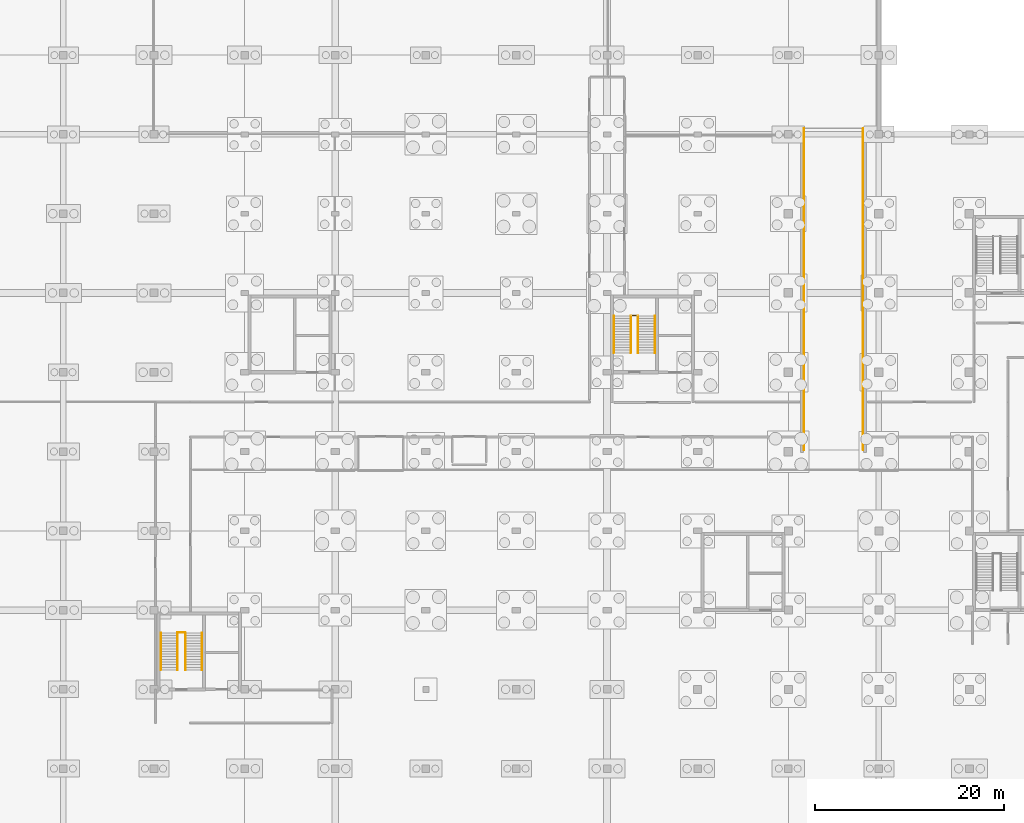
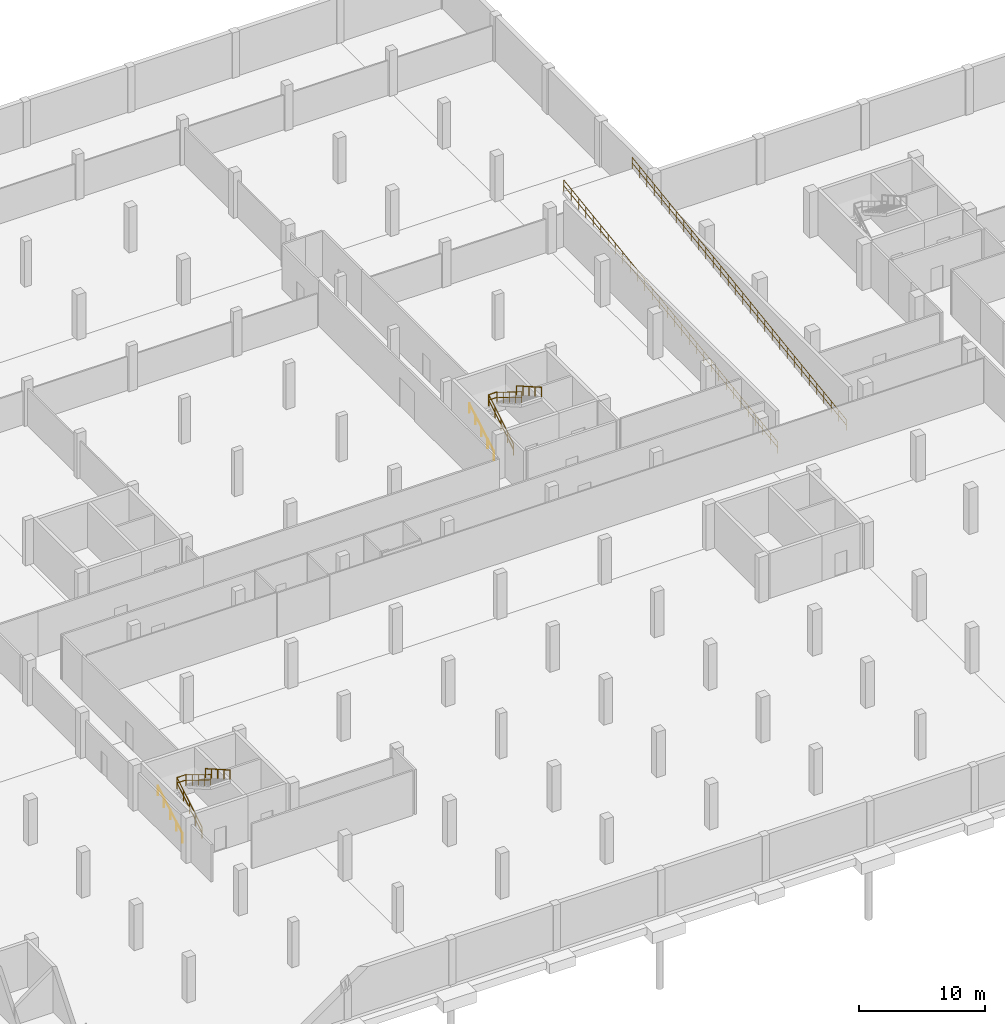
# One storey, part 25 of 26: 12 railings.
"""IFC4 building model written with IfcOpenShell, lengths in metres."""

from ifc_helpers import new_model, si_unit, direction, frame, origin, origin_2d, place, context, subcontext, project, spatial, circle, extrude, material, layer, layer_set, type_object, element, save


model = new_model("IFC4")

# Units and contexts
model_context = context("Model", 3, precision=1e-05, world=origin(), true_north=direction((0.0, 1.0)))
body_context = subcontext(model_context, "Body", "Model", "MODEL_VIEW")
ifc_project = project(units=[si_unit("LENGTHUNIT", "METRE"), si_unit("AREAUNIT", "SQUARE_METRE"), si_unit("VOLUMEUNIT", "CUBIC_METRE"), si_unit("PLANEANGLEUNIT", "RADIAN"), si_unit("MASSUNIT", "GRAM", prefix="KILO")], contexts=[model_context])

# Site, building, storey
site_placement = place(None, origin())
site = spatial("IfcSite", under=ifc_project, at=site_placement, CompositionType="ELEMENT")
building_placement = place(site_placement, origin())
building = spatial("IfcBuilding", under=site, at=building_placement, Name="Lornevale Opera House", CompositionType="ELEMENT")
storey_placement = place(building_placement, frame((0.0, 0.0, -9.60009765625)))
storey = spatial("IfcBuildingStorey", under=building, at=storey_placement, Name="B2", CompositionType="ELEMENT", Elevation=-9.60009765625)

# Railings
ifc_material = material(Name="Structural Steel CSA G40.21 Grade 350W (350 MPa)", Category="steel")
ifc_layer_1 = layer(ifc_material, 0.050048828125)
ifc_layer_set_1 = layer_set([ifc_layer_1], Name="Structural Steel CSA G40.21 Grade 350W (350 MPa)")
railing_type_1 = type_object("IfcRailingType", Name="Stair Well Guardrail 1100", PredefinedType="GUARDRAIL", material=ifc_layer_set_1)
railing_1_placement = place(storey_placement, frame((50.47998046875, 27.260009765625, 0.0)))
element("IfcRailing", 1, at=railing_1_placement, inside=storey, type_object=railing_type_1, Name="ST-01 Inner Well Guard F1", PredefinedType="GUARDRAIL", context=body_context, shape_type="SweptSolid", body=[
    extrude(circle(Radius=0.02392578125, at=origin_2d()), frame((0.0, 0.0, 1.076171875), z_axis=(0.0, 0.852832477147, 0.522184609045), x_axis=(-1.0, 0.0, 0.0)), (0.0, 0.0, 1.0), 4.596435546875),
    extrude(circle(Radius=0.02392578125, at=origin_2d()), frame((0.0, 0.0, 0.550048828125), z_axis=(0.0, 0.852832477147, 0.522184609045), x_axis=(-1.0, 0.0, 0.0)), (0.0, 0.0, 1.0), 4.596435546875),
    extrude(circle(Radius=0.02099609375, at=origin_2d()), origin(), (0.0, 0.0, 1.0), 1.052001953125),
    extrude(circle(Radius=0.02099609375, at=origin_2d()), frame((0.0, 0.97998046875, 0.60009765625)), (0.0, 0.0, 1.0), 1.052001953125),
    extrude(circle(Radius=0.02099609375, at=origin_2d()), frame((0.0, 1.9599609375, 1.2001953125)), (0.0, 0.0, 1.0), 1.052001953125),
    extrude(circle(Radius=0.02099609375, at=origin_2d()), frame((0.0, 2.93994140625, 1.800048828125)), (0.0, 0.0, 1.0), 1.052001953125),
    extrude(circle(Radius=0.02099609375, at=origin_2d()), frame((0.0, 3.919921875, 2.400146484375)), (0.0, 0.0, 1.0), 1.052001953125),
])
railing_2_placement = place(storey_placement, frame((51.320068359375, 31.179931640625, 2.400146484375)))
element("IfcRailing", 2, at=railing_2_placement, inside=storey, type_object=railing_type_1, Name="ST-01 Inner Well Guard F2", PredefinedType="GUARDRAIL", context=body_context, shape_type="SweptSolid", body=[
    extrude(circle(Radius=0.02392578125, at=origin_2d()), frame((0.0, 0.0, 1.076171875), z_axis=(0.0, -0.852856131449, 0.522145974847), x_axis=(1.0, 0.0, 0.0)), (0.0, 0.0, 1.0), 4.59619140625),
    extrude(circle(Radius=0.02392578125, at=origin_2d()), frame((0.0, 0.0, 0.550048828125), z_axis=(0.0, -0.852856131449, 0.522145974847), x_axis=(1.0, 0.0, 0.0)), (0.0, 0.0, 1.0), 4.59619140625),
    extrude(circle(Radius=0.02099609375, at=origin_2d()), origin(), (0.0, 0.0, 1.0), 1.052001953125),
    extrude(circle(Radius=0.02099609375, at=origin_2d()), frame((0.0, -0.97998046875, 0.60009765625)), (0.0, 0.0, 1.0), 1.052001953125),
    extrude(circle(Radius=0.02099609375, at=origin_2d()), frame((0.0, -1.9599609375, 1.199951171875)), (0.0, 0.0, 1.0), 1.052001953125),
    extrude(circle(Radius=0.02099609375, at=origin_2d()), frame((0.0, -2.93994140625, 1.7998046875)), (0.0, 0.0, 1.0), 1.052001953125),
    extrude(circle(Radius=0.02099609375, at=origin_2d()), frame((0.0, -3.919921875, 2.39990234375)), (0.0, 0.0, 1.0), 1.052001953125),
])
railing_3_placement = place(storey_placement, frame((50.47998046875, 31.2099609375, 2.400146484375)))
element("IfcRailing", 3, at=railing_3_placement, inside=storey, type_object=railing_type_1, Name="ST-01 Half-Landing Slot Guard", PredefinedType="GUARDRAIL", context=body_context, shape_type="SweptSolid", body=[
    extrude(circle(Radius=0.02392578125, at=origin_2d()), frame((0.0, 0.0, 1.076171875), z_axis=(1.0, 0.0, 0.0), x_axis=(0.0, 1.0, 0.0)), (0.0, 0.0, 1.0), 0.840087890625),
    extrude(circle(Radius=0.02392578125, at=origin_2d()), frame((0.0, 0.0, 0.550048828125), z_axis=(1.0, 0.0, 0.0), x_axis=(0.0, 1.0, 0.0)), (0.0, 0.0, 1.0), 0.840087890625),
    extrude(circle(Radius=0.02099609375, at=origin_2d()), origin(), (0.0, 0.0, 1.0), 1.052001953125),
    extrude(circle(Radius=0.02099609375, at=origin_2d()), frame((0.840087890625, 0.0, 0.0)), (0.0, 0.0, 1.0), 1.052001953125),
])
railing_4_placement = place(storey_placement, frame((98.52001953125, 60.860107421875, 0.0)))
element("IfcRailing", 4, at=railing_4_placement, inside=storey, type_object=railing_type_1, Name="ST-20 Inner Well Guard F1", PredefinedType="GUARDRAIL", context=body_context, shape_type="SweptSolid", body=[
    extrude(circle(Radius=0.02392578125, at=origin_2d()), frame((0.0, 0.0, 1.076171875), z_axis=(0.0, 0.852832477147, 0.522184609045), x_axis=(-1.0, 0.0, 0.0)), (0.0, 0.0, 1.0), 4.596435546875),
    extrude(circle(Radius=0.02392578125, at=origin_2d()), frame((0.0, 0.0, 0.550048828125), z_axis=(0.0, 0.852832477147, 0.522184609045), x_axis=(-1.0, 0.0, 0.0)), (0.0, 0.0, 1.0), 4.596435546875),
    extrude(circle(Radius=0.02099609375, at=origin_2d()), origin(), (0.0, 0.0, 1.0), 1.052001953125),
    extrude(circle(Radius=0.02099609375, at=origin_2d()), frame((0.0, 0.97998046875, 0.60009765625)), (0.0, 0.0, 1.0), 1.052001953125),
    extrude(circle(Radius=0.02099609375, at=origin_2d()), frame((0.0, 1.9599609375, 1.2001953125)), (0.0, 0.0, 1.0), 1.052001953125),
    extrude(circle(Radius=0.02099609375, at=origin_2d()), frame((0.0, 2.93994140625, 1.800048828125)), (0.0, 0.0, 1.0), 1.052001953125),
    extrude(circle(Radius=0.02099609375, at=origin_2d()), frame((0.0, 3.919921875, 2.400146484375)), (0.0, 0.0, 1.0), 1.052001953125),
])
railing_5_placement = place(storey_placement, frame((99.280029296875, 64.780029296875, 2.400146484375)))
element("IfcRailing", 5, at=railing_5_placement, inside=storey, type_object=railing_type_1, Name="ST-20 Inner Well Guard F2", PredefinedType="GUARDRAIL", context=body_context, shape_type="SweptSolid", body=[
    extrude(circle(Radius=0.02392578125, at=origin_2d()), frame((0.0, 0.0, 1.076171875), z_axis=(0.0, -0.852856131449, 0.522145974847), x_axis=(1.0, 0.0, 0.0)), (0.0, 0.0, 1.0), 4.59619140625),
    extrude(circle(Radius=0.02392578125, at=origin_2d()), frame((0.0, 0.0, 0.550048828125), z_axis=(0.0, -0.852856131449, 0.522145974847), x_axis=(1.0, 0.0, 0.0)), (0.0, 0.0, 1.0), 4.59619140625),
    extrude(circle(Radius=0.02099609375, at=origin_2d()), origin(), (0.0, 0.0, 1.0), 1.052001953125),
    extrude(circle(Radius=0.02099609375, at=origin_2d()), frame((0.0, -0.97998046875, 0.60009765625)), (0.0, 0.0, 1.0), 1.052001953125),
    extrude(circle(Radius=0.02099609375, at=origin_2d()), frame((0.0, -1.9599609375, 1.199951171875)), (0.0, 0.0, 1.0), 1.052001953125),
    extrude(circle(Radius=0.02099609375, at=origin_2d()), frame((0.0, -2.93994140625, 1.7998046875)), (0.0, 0.0, 1.0), 1.052001953125),
    extrude(circle(Radius=0.02099609375, at=origin_2d()), frame((0.0, -3.919921875, 2.39990234375)), (0.0, 0.0, 1.0), 1.052001953125),
])
railing_6_placement = place(storey_placement, frame((98.52001953125, 64.81005859375, 2.400146484375)))
element("IfcRailing", 6, at=railing_6_placement, inside=storey, type_object=railing_type_1, Name="ST-20 Half-Landing Slot Guard", PredefinedType="GUARDRAIL", context=body_context, shape_type="SweptSolid", body=[
    extrude(circle(Radius=0.02392578125, at=origin_2d()), frame((0.0, 0.0, 1.076171875), z_axis=(1.0, 0.0, 0.0), x_axis=(0.0, 1.0, 0.0)), (0.0, 0.0, 1.0), 0.760009765625),
    extrude(circle(Radius=0.02392578125, at=origin_2d()), frame((0.0, 0.0, 0.550048828125), z_axis=(1.0, 0.0, 0.0), x_axis=(0.0, 1.0, 0.0)), (0.0, 0.0, 1.0), 0.760009765625),
    extrude(circle(Radius=0.02099609375, at=origin_2d()), origin(), (0.0, 0.0, 1.0), 1.052001953125),
    extrude(circle(Radius=0.02099609375, at=origin_2d()), frame((0.760009765625, 0.0, 0.0)), (0.0, 0.0, 1.0), 1.052001953125),
])
ifc_layer_2 = layer(ifc_material, 0.06005859375)
ifc_layer_set_2 = layer_set([ifc_layer_2], Name="Structural Steel CSA G40.21 Grade 350W (350 MPa)")
railing_type_2 = type_object("IfcRailingType", Name="Terrace Tubular Guardrail 1120", PredefinedType="GUARDRAIL", material=ifc_layer_set_2)
railing_7_placement = place(storey_placement, frame((123.139892578125, 50.580078125, 0.0)))
element("IfcRailing", 7, at=railing_7_placement, inside=storey, type_object=railing_type_2, Name="RP-01 Ramp Guardrail 0225", PredefinedType="GUARDRAIL", context=body_context, shape_type="SweptSolid", body=[
    extrude(circle(Radius=0.02392578125, at=origin_2d()), frame((0.0, 0.0, 1.09619140625), z_axis=(0.0, 0.990203684558, 0.139630451861), x_axis=(-1.0, 0.0, 0.0)), (0.0, 0.0, 1.0), 34.376708984375),
    extrude(circle(Radius=0.02392578125, at=origin_2d()), frame((0.0, 0.0, 0.56005859375), z_axis=(0.0, 0.990203684558, 0.139630451861), x_axis=(-1.0, 0.0, 0.0)), (0.0, 0.0, 1.0), 34.376708984375),
    extrude(circle(Radius=0.02099609375, at=origin_2d()), origin(), (0.0, 0.0, 1.0), 1.072021484375),
    extrude(circle(Radius=0.02099609375, at=origin_2d()), frame((0.0, 1.173828125, 0.16552734375)), (0.0, 0.0, 1.0), 1.072021484375),
    extrude(circle(Radius=0.02099609375, at=origin_2d()), frame((0.0, 2.34765625, 0.3310546875)), (0.0, 0.0, 1.0), 1.072021484375),
    extrude(circle(Radius=0.02099609375, at=origin_2d()), frame((0.0, 3.521484375, 0.49658203125)), (0.0, 0.0, 1.0), 1.072021484375),
    extrude(circle(Radius=0.02099609375, at=origin_2d()), frame((0.0, 4.695068359375, 0.662109375)), (0.0, 0.0, 1.0), 1.072021484375),
    extrude(circle(Radius=0.02099609375, at=origin_2d()), frame((0.0, 5.868896484375, 0.82763671875)), (0.0, 0.0, 1.0), 1.072021484375),
    extrude(circle(Radius=0.02099609375, at=origin_2d()), frame((0.0, 7.042724609375, 0.9931640625)), (0.0, 0.0, 1.0), 1.072021484375),
    extrude(circle(Radius=0.02099609375, at=origin_2d()), frame((0.0, 8.216552734375, 1.15869140625)), (0.0, 0.0, 1.0), 1.072021484375),
    extrude(circle(Radius=0.02099609375, at=origin_2d()), frame((0.0, 9.390380859375, 1.32421875)), (0.0, 0.0, 1.0), 1.072021484375),
    extrude(circle(Radius=0.02099609375, at=origin_2d()), frame((0.0, 10.564208984375, 1.48974609375)), (0.0, 0.0, 1.0), 1.072021484375),
    extrude(circle(Radius=0.02099609375, at=origin_2d()), frame((0.0, 11.738037109375, 1.6552734375)), (0.0, 0.0, 1.0), 1.072021484375),
    extrude(circle(Radius=0.02099609375, at=origin_2d()), frame((0.0, 12.91162109375, 1.82080078125)), (0.0, 0.0, 1.0), 1.072021484375),
    extrude(circle(Radius=0.02099609375, at=origin_2d()), frame((0.0, 14.08544921875, 1.986328125)), (0.0, 0.0, 1.0), 1.072021484375),
    extrude(circle(Radius=0.02099609375, at=origin_2d()), frame((0.0, 15.25927734375, 2.15185546875)), (0.0, 0.0, 1.0), 1.072021484375),
    extrude(circle(Radius=0.02099609375, at=origin_2d()), frame((0.0, 16.43310546875, 2.3173828125)), (0.0, 0.0, 1.0), 1.072021484375),
    extrude(circle(Radius=0.02099609375, at=origin_2d()), frame((0.0, 17.60693359375, 2.482666015625)), (0.0, 0.0, 1.0), 1.072021484375),
    extrude(circle(Radius=0.02099609375, at=origin_2d()), frame((0.0, 18.78076171875, 2.648193359375)), (0.0, 0.0, 1.0), 1.072021484375),
    extrude(circle(Radius=0.02099609375, at=origin_2d()), frame((0.0, 19.95458984375, 2.813720703125)), (0.0, 0.0, 1.0), 1.072021484375),
    extrude(circle(Radius=0.02099609375, at=origin_2d()), frame((0.0, 21.12841796875, 2.979248046875)), (0.0, 0.0, 1.0), 1.072021484375),
    extrude(circle(Radius=0.02099609375, at=origin_2d()), frame((0.0, 22.302001953125, 3.144775390625)), (0.0, 0.0, 1.0), 1.072021484375),
    extrude(circle(Radius=0.02099609375, at=origin_2d()), frame((0.0, 23.475830078125, 3.310302734375)), (0.0, 0.0, 1.0), 1.072021484375),
    extrude(circle(Radius=0.02099609375, at=origin_2d()), frame((0.0, 24.649658203125, 3.475830078125)), (0.0, 0.0, 1.0), 1.072021484375),
    extrude(circle(Radius=0.02099609375, at=origin_2d()), frame((0.0, 25.823486328125, 3.641357421875)), (0.0, 0.0, 1.0), 1.072021484375),
    extrude(circle(Radius=0.02099609375, at=origin_2d()), frame((0.0, 26.997314453125, 3.806884765625)), (0.0, 0.0, 1.0), 1.072021484375),
    extrude(circle(Radius=0.02099609375, at=origin_2d()), frame((0.0, 28.171142578125, 3.972412109375)), (0.0, 0.0, 1.0), 1.072021484375),
    extrude(circle(Radius=0.02099609375, at=origin_2d()), frame((0.0, 29.344970703125, 4.137939453125)), (0.0, 0.0, 1.0), 1.072021484375),
    extrude(circle(Radius=0.02099609375, at=origin_2d()), frame((0.0, 30.5185546875, 4.303466796875)), (0.0, 0.0, 1.0), 1.072021484375),
    extrude(circle(Radius=0.02099609375, at=origin_2d()), frame((0.0, 31.6923828125, 4.468994140625)), (0.0, 0.0, 1.0), 1.072021484375),
    extrude(circle(Radius=0.02099609375, at=origin_2d()), frame((0.0, 32.8662109375, 4.634521484375)), (0.0, 0.0, 1.0), 1.072021484375),
    extrude(circle(Radius=0.02099609375, at=origin_2d()), frame((0.0, 34.0400390625, 4.800048828125)), (0.0, 0.0, 1.0), 1.072021484375),
])
railing_8_placement = place(storey_placement, frame((116.860107421875, 50.580078125, 0.0)))
element("IfcRailing", 8, at=railing_8_placement, inside=storey, type_object=railing_type_2, Name="RP-01 Ramp Guardrail 0226", PredefinedType="GUARDRAIL", context=body_context, shape_type="SweptSolid", body=[
    extrude(circle(Radius=0.02392578125, at=origin_2d()), frame((0.0, 0.0, 1.09619140625), z_axis=(0.0, 0.990203684558, 0.139630451861), x_axis=(-1.0, 0.0, 0.0)), (0.0, 0.0, 1.0), 34.376708984375),
    extrude(circle(Radius=0.02392578125, at=origin_2d()), frame((0.0, 0.0, 0.56005859375), z_axis=(0.0, 0.990203684558, 0.139630451861), x_axis=(-1.0, 0.0, 0.0)), (0.0, 0.0, 1.0), 34.376708984375),
    extrude(circle(Radius=0.02099609375, at=origin_2d()), origin(), (0.0, 0.0, 1.0), 1.072021484375),
    extrude(circle(Radius=0.02099609375, at=origin_2d()), frame((0.0, 1.173828125, 0.16552734375)), (0.0, 0.0, 1.0), 1.072021484375),
    extrude(circle(Radius=0.02099609375, at=origin_2d()), frame((0.0, 2.34765625, 0.3310546875)), (0.0, 0.0, 1.0), 1.072021484375),
    extrude(circle(Radius=0.02099609375, at=origin_2d()), frame((0.0, 3.521484375, 0.49658203125)), (0.0, 0.0, 1.0), 1.072021484375),
    extrude(circle(Radius=0.02099609375, at=origin_2d()), frame((0.0, 4.695068359375, 0.662109375)), (0.0, 0.0, 1.0), 1.072021484375),
    extrude(circle(Radius=0.02099609375, at=origin_2d()), frame((0.0, 5.868896484375, 0.82763671875)), (0.0, 0.0, 1.0), 1.072021484375),
    extrude(circle(Radius=0.02099609375, at=origin_2d()), frame((0.0, 7.042724609375, 0.9931640625)), (0.0, 0.0, 1.0), 1.072021484375),
    extrude(circle(Radius=0.02099609375, at=origin_2d()), frame((0.0, 8.216552734375, 1.15869140625)), (0.0, 0.0, 1.0), 1.072021484375),
    extrude(circle(Radius=0.02099609375, at=origin_2d()), frame((0.0, 9.390380859375, 1.32421875)), (0.0, 0.0, 1.0), 1.072021484375),
    extrude(circle(Radius=0.02099609375, at=origin_2d()), frame((0.0, 10.564208984375, 1.48974609375)), (0.0, 0.0, 1.0), 1.072021484375),
    extrude(circle(Radius=0.02099609375, at=origin_2d()), frame((0.0, 11.738037109375, 1.6552734375)), (0.0, 0.0, 1.0), 1.072021484375),
    extrude(circle(Radius=0.02099609375, at=origin_2d()), frame((0.0, 12.91162109375, 1.82080078125)), (0.0, 0.0, 1.0), 1.072021484375),
    extrude(circle(Radius=0.02099609375, at=origin_2d()), frame((0.0, 14.08544921875, 1.986328125)), (0.0, 0.0, 1.0), 1.072021484375),
    extrude(circle(Radius=0.02099609375, at=origin_2d()), frame((0.0, 15.25927734375, 2.15185546875)), (0.0, 0.0, 1.0), 1.072021484375),
    extrude(circle(Radius=0.02099609375, at=origin_2d()), frame((0.0, 16.43310546875, 2.3173828125)), (0.0, 0.0, 1.0), 1.072021484375),
    extrude(circle(Radius=0.02099609375, at=origin_2d()), frame((0.0, 17.60693359375, 2.482666015625)), (0.0, 0.0, 1.0), 1.072021484375),
    extrude(circle(Radius=0.02099609375, at=origin_2d()), frame((0.0, 18.78076171875, 2.648193359375)), (0.0, 0.0, 1.0), 1.072021484375),
    extrude(circle(Radius=0.02099609375, at=origin_2d()), frame((0.0, 19.95458984375, 2.813720703125)), (0.0, 0.0, 1.0), 1.072021484375),
    extrude(circle(Radius=0.02099609375, at=origin_2d()), frame((0.0, 21.12841796875, 2.979248046875)), (0.0, 0.0, 1.0), 1.072021484375),
    extrude(circle(Radius=0.02099609375, at=origin_2d()), frame((0.0, 22.302001953125, 3.144775390625)), (0.0, 0.0, 1.0), 1.072021484375),
    extrude(circle(Radius=0.02099609375, at=origin_2d()), frame((0.0, 23.475830078125, 3.310302734375)), (0.0, 0.0, 1.0), 1.072021484375),
    extrude(circle(Radius=0.02099609375, at=origin_2d()), frame((0.0, 24.649658203125, 3.475830078125)), (0.0, 0.0, 1.0), 1.072021484375),
    extrude(circle(Radius=0.02099609375, at=origin_2d()), frame((0.0, 25.823486328125, 3.641357421875)), (0.0, 0.0, 1.0), 1.072021484375),
    extrude(circle(Radius=0.02099609375, at=origin_2d()), frame((0.0, 26.997314453125, 3.806884765625)), (0.0, 0.0, 1.0), 1.072021484375),
    extrude(circle(Radius=0.02099609375, at=origin_2d()), frame((0.0, 28.171142578125, 3.972412109375)), (0.0, 0.0, 1.0), 1.072021484375),
    extrude(circle(Radius=0.02099609375, at=origin_2d()), frame((0.0, 29.344970703125, 4.137939453125)), (0.0, 0.0, 1.0), 1.072021484375),
    extrude(circle(Radius=0.02099609375, at=origin_2d()), frame((0.0, 30.5185546875, 4.303466796875)), (0.0, 0.0, 1.0), 1.072021484375),
    extrude(circle(Radius=0.02099609375, at=origin_2d()), frame((0.0, 31.6923828125, 4.468994140625)), (0.0, 0.0, 1.0), 1.072021484375),
    extrude(circle(Radius=0.02099609375, at=origin_2d()), frame((0.0, 32.8662109375, 4.634521484375)), (0.0, 0.0, 1.0), 1.072021484375),
    extrude(circle(Radius=0.02099609375, at=origin_2d()), frame((0.0, 34.0400390625, 4.800048828125)), (0.0, 0.0, 1.0), 1.072021484375),
])
ifc_layer_3 = layer(ifc_material, 0.048095703125)
ifc_layer_set_3 = layer_set([ifc_layer_3], Name="Structural Steel CSA G40.21 Grade 350W (350 MPa)")
railing_type_3 = type_object("IfcRailingType", Name="Tubular Stair Handrail 915", PredefinedType="HANDRAIL", material=ifc_layer_set_3)
railing_9_placement = place(storey_placement, frame((48.719970703125, 27.260009765625, 0.1630859375)))
element("IfcRailing", 9, at=railing_9_placement, inside=storey, type_object=railing_type_3, Name="ST-01 Outer Handrail F1", PredefinedType="HANDRAIL", context=body_context, shape_type="SweptSolid", body=[
    extrude(circle(Radius=0.02392578125, at=origin_2d()), frame((0.0, 0.0, 0.89111328125), z_axis=(0.0, 0.868239814368, 0.496144761885), x_axis=(-1.0, 0.0, 0.0)), (0.0, 0.0, 1.0), 4.514892578125),
    extrude(circle(Radius=0.02099609375, at=origin_2d()), origin(), (0.0, 0.0, 1.0), 0.866943359375),
    extrude(circle(Radius=0.02099609375, at=origin_2d()), frame((0.0, 0.97998046875, 0.56005859375)), (0.0, 0.0, 1.0), 0.866943359375),
    extrude(circle(Radius=0.02099609375, at=origin_2d()), frame((0.0, 1.9599609375, 1.1201171875)), (0.0, 0.0, 1.0), 0.866943359375),
    extrude(circle(Radius=0.02099609375, at=origin_2d()), frame((0.0, 2.93994140625, 1.679931640625)), (0.0, 0.0, 1.0), 0.866943359375),
    extrude(circle(Radius=0.02099609375, at=origin_2d()), frame((0.0, 3.919921875, 2.239990234375)), (0.0, 0.0, 1.0), 0.866943359375),
])
railing_10_placement = place(storey_placement, frame((53.080078125, 31.179931640625, 2.56298828125)))
element("IfcRailing", 10, at=railing_10_placement, inside=storey, type_object=railing_type_3, Name="ST-01 Outer Handrail F2", PredefinedType="HANDRAIL", context=body_context, shape_type="SweptSolid", body=[
    extrude(circle(Radius=0.02392578125, at=origin_2d()), frame((0.0, 0.0, 0.89111328125), z_axis=(0.0, -0.868239814368, 0.496144761885), x_axis=(1.0, 0.0, 0.0)), (0.0, 0.0, 1.0), 4.514892578125),
    extrude(circle(Radius=0.02099609375, at=origin_2d()), origin(), (0.0, 0.0, 1.0), 0.866943359375),
    extrude(circle(Radius=0.02099609375, at=origin_2d()), frame((0.0, -0.97998046875, 0.56005859375)), (0.0, 0.0, 1.0), 0.866943359375),
    extrude(circle(Radius=0.02099609375, at=origin_2d()), frame((0.0, -1.9599609375, 1.1201171875)), (0.0, 0.0, 1.0), 0.866943359375),
    extrude(circle(Radius=0.02099609375, at=origin_2d()), frame((0.0, -2.93994140625, 1.679931640625)), (0.0, 0.0, 1.0), 0.866943359375),
    extrude(circle(Radius=0.02099609375, at=origin_2d()), frame((0.0, -3.919921875, 2.239990234375)), (0.0, 0.0, 1.0), 0.866943359375),
])
railing_11_placement = place(storey_placement, frame((96.719970703125, 60.860107421875, 0.1630859375)))
element("IfcRailing", 11, at=railing_11_placement, inside=storey, type_object=railing_type_3, Name="ST-20 Outer Handrail F1", PredefinedType="HANDRAIL", context=body_context, shape_type="SweptSolid", body=[
    extrude(circle(Radius=0.02392578125, at=origin_2d()), frame((0.0, 0.0, 0.89111328125), z_axis=(0.0, 0.868239814368, 0.496144761885), x_axis=(-1.0, 0.0, 0.0)), (0.0, 0.0, 1.0), 4.514892578125),
    extrude(circle(Radius=0.02099609375, at=origin_2d()), origin(), (0.0, 0.0, 1.0), 0.866943359375),
    extrude(circle(Radius=0.02099609375, at=origin_2d()), frame((0.0, 0.97998046875, 0.56005859375)), (0.0, 0.0, 1.0), 0.866943359375),
    extrude(circle(Radius=0.02099609375, at=origin_2d()), frame((0.0, 1.9599609375, 1.1201171875)), (0.0, 0.0, 1.0), 0.866943359375),
    extrude(circle(Radius=0.02099609375, at=origin_2d()), frame((0.0, 2.93994140625, 1.679931640625)), (0.0, 0.0, 1.0), 0.866943359375),
    extrude(circle(Radius=0.02099609375, at=origin_2d()), frame((0.0, 3.919921875, 2.239990234375)), (0.0, 0.0, 1.0), 0.866943359375),
])
railing_12_placement = place(storey_placement, frame((101.080078125, 64.780029296875, 2.56298828125)))
element("IfcRailing", 12, at=railing_12_placement, inside=storey, type_object=railing_type_3, Name="ST-20 Outer Handrail F2", PredefinedType="HANDRAIL", context=body_context, shape_type="SweptSolid", body=[
    extrude(circle(Radius=0.02392578125, at=origin_2d()), frame((0.0, 0.0, 0.89111328125), z_axis=(0.0, -0.868239814368, 0.496144761885), x_axis=(1.0, 0.0, 0.0)), (0.0, 0.0, 1.0), 4.514892578125),
    extrude(circle(Radius=0.02099609375, at=origin_2d()), origin(), (0.0, 0.0, 1.0), 0.866943359375),
    extrude(circle(Radius=0.02099609375, at=origin_2d()), frame((0.0, -0.97998046875, 0.56005859375)), (0.0, 0.0, 1.0), 0.866943359375),
    extrude(circle(Radius=0.02099609375, at=origin_2d()), frame((0.0, -1.9599609375, 1.1201171875)), (0.0, 0.0, 1.0), 0.866943359375),
    extrude(circle(Radius=0.02099609375, at=origin_2d()), frame((0.0, -2.93994140625, 1.679931640625)), (0.0, 0.0, 1.0), 0.866943359375),
    extrude(circle(Radius=0.02099609375, at=origin_2d()), frame((0.0, -3.919921875, 2.239990234375)), (0.0, 0.0, 1.0), 0.866943359375),
])

save(model, "model.ifc")
